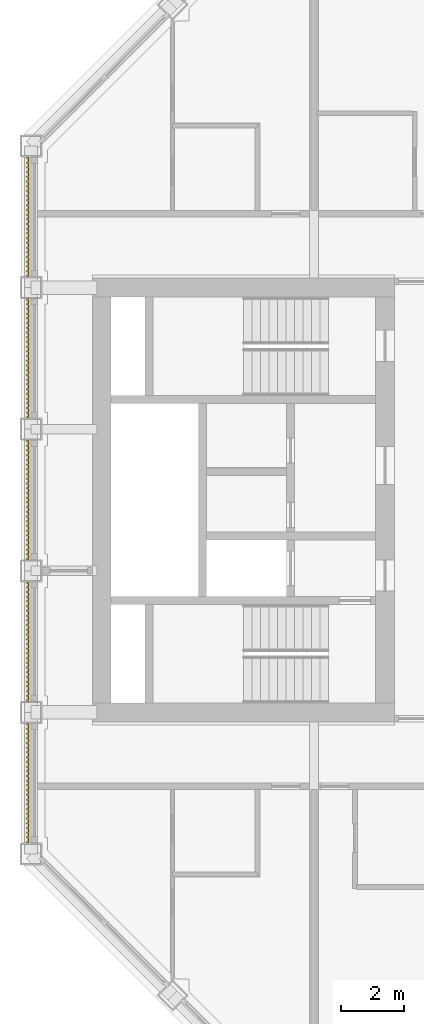
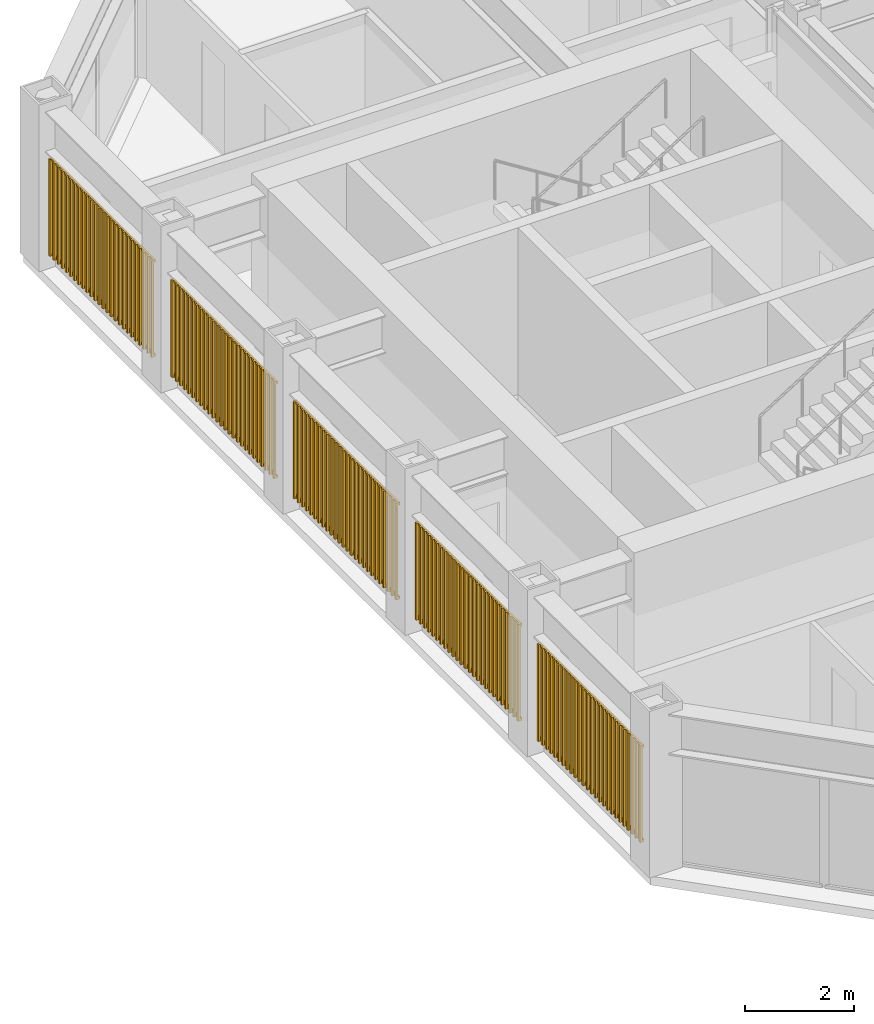
# One storey, part 15 of 18: 1 shading device.
"""IFC4 building model written with IfcOpenShell, lengths in metres."""

from ifc_helpers import new_model, si_unit, direction, frame, origin, origin_2d, place, context, subcontext, project, spatial, rectangle, extrude, material, type_object, element, save


model = new_model("IFC4")

# Units and contexts
model_context = context("Model", 3, precision=1e-05, world=origin(), true_north=direction((0.0, 1.0)))
body_context = subcontext(model_context, "Body", "Model", "MODEL_VIEW")
ifc_project = project(units=[si_unit("LENGTHUNIT", "METRE"), si_unit("AREAUNIT", "SQUARE_METRE"), si_unit("VOLUMEUNIT", "CUBIC_METRE"), si_unit("PLANEANGLEUNIT", "RADIAN"), si_unit("MASSUNIT", "GRAM", prefix="KILO")], contexts=[model_context])

# Site, building, storey
site_placement = place(None, origin())
site = spatial("IfcSite", under=ifc_project, at=site_placement, CompositionType="ELEMENT")
building_placement = place(site_placement, origin())
building = spatial("IfcBuilding", under=site, at=building_placement, Name="Msasa Ring Tower", CompositionType="ELEMENT")
storey_placement = place(building_placement, frame((0.0, 0.0, 204.550048828125)))
storey = spatial("IfcBuildingStorey", under=building, at=storey_placement, Name="L53", CompositionType="ELEMENT", Elevation=204.550048828125)

# Shading device
ifc_material = material(Name="Extruded terracotta on aluminium carriers", Category="masonry")
shading_device_type = type_object("IfcShadingDeviceType", Name="BS1 TERRACOTTA BAGUETTE SCREEN 50x50 AT 150", PredefinedType="USERDEFINED", material=ifc_material)
shading_device_placement = place(storey_placement, origin())
element("IfcShadingDevice", 1, at=shading_device_placement, inside=storey, type_object=shading_device_type, Name="Terracotta baguette screen W L53", ObjectType="BAGUETTE", PredefinedType="USERDEFINED", context=body_context, shape_type="SweptSolid", body=[
    extrude(rectangle(XDim=0.06005859375, YDim=0.0400390625, at=origin_2d()), frame((-20.330078125, -10.89990234375, 0.329833984375), z_axis=(0.0, 1.0, 0.0), x_axis=(0.0, 0.0, 1.0)), (0.0, 0.0, 1.0), 3.800048828125),
    extrude(rectangle(XDim=0.06005859375, YDim=0.0400390625, at=origin_2d()), frame((-20.330078125, -10.89990234375, 2.448974609375), z_axis=(0.0, 1.0, 0.0), x_axis=(0.0, 0.0, 1.0)), (0.0, 0.0, 1.0), 3.800048828125),
    extrude(rectangle(XDim=0.050048828125, YDim=0.050048828125, at=origin_2d()), frame((-20.3701171875, -10.875, 0.300048828125), z_axis=(0.0, 0.0, 1.0), x_axis=(0.0, 1.0, 0.0)), (0.0, 0.0, 1.0), 2.178955078125),
    extrude(rectangle(XDim=0.050048828125, YDim=0.050048828125, at=origin_2d()), frame((-20.3701171875, -10.72509765625, 0.300048828125), z_axis=(0.0, 0.0, 1.0), x_axis=(0.0, 1.0, 0.0)), (0.0, 0.0, 1.0), 2.178955078125),
    extrude(rectangle(XDim=0.050048828125, YDim=0.050048828125, at=origin_2d()), frame((-20.3701171875, -10.574951171875, 0.300048828125), z_axis=(0.0, 0.0, 1.0), x_axis=(0.0, 1.0, 0.0)), (0.0, 0.0, 1.0), 2.178955078125),
    extrude(rectangle(XDim=0.050048828125, YDim=0.050048828125, at=origin_2d()), frame((-20.3701171875, -10.425048828125, 0.300048828125), z_axis=(0.0, 0.0, 1.0), x_axis=(0.0, 1.0, 0.0)), (0.0, 0.0, 1.0), 2.178955078125),
    extrude(rectangle(XDim=0.050048828125, YDim=0.050048828125, at=origin_2d()), frame((-20.3701171875, -10.27490234375, 0.300048828125), z_axis=(0.0, 0.0, 1.0), x_axis=(0.0, 1.0, 0.0)), (0.0, 0.0, 1.0), 2.178955078125),
    extrude(rectangle(XDim=0.050048828125, YDim=0.050048828125, at=origin_2d()), frame((-20.3701171875, -10.125, 0.300048828125), z_axis=(0.0, 0.0, 1.0), x_axis=(0.0, 1.0, 0.0)), (0.0, 0.0, 1.0), 2.178955078125),
    extrude(rectangle(XDim=0.050048828125, YDim=0.050048828125, at=origin_2d()), frame((-20.3701171875, -9.97509765625, 0.300048828125), z_axis=(0.0, 0.0, 1.0), x_axis=(0.0, 1.0, 0.0)), (0.0, 0.0, 1.0), 2.178955078125),
    extrude(rectangle(XDim=0.050048828125, YDim=0.050048828125, at=origin_2d()), frame((-20.3701171875, -9.824951171875, 0.300048828125), z_axis=(0.0, 0.0, 1.0), x_axis=(0.0, 1.0, 0.0)), (0.0, 0.0, 1.0), 2.178955078125),
    extrude(rectangle(XDim=0.050048828125, YDim=0.050048828125, at=origin_2d()), frame((-20.3701171875, -9.675048828125, 0.300048828125), z_axis=(0.0, 0.0, 1.0), x_axis=(0.0, 1.0, 0.0)), (0.0, 0.0, 1.0), 2.178955078125),
    extrude(rectangle(XDim=0.050048828125, YDim=0.050048828125, at=origin_2d()), frame((-20.3701171875, -9.52490234375, 0.300048828125), z_axis=(0.0, 0.0, 1.0), x_axis=(0.0, 1.0, 0.0)), (0.0, 0.0, 1.0), 2.178955078125),
    extrude(rectangle(XDim=0.050048828125, YDim=0.050048828125, at=origin_2d()), frame((-20.3701171875, -9.375, 0.300048828125), z_axis=(0.0, 0.0, 1.0), x_axis=(0.0, 1.0, 0.0)), (0.0, 0.0, 1.0), 2.178955078125),
    extrude(rectangle(XDim=0.050048828125, YDim=0.050048828125, at=origin_2d()), frame((-20.3701171875, -9.22509765625, 0.300048828125), z_axis=(0.0, 0.0, 1.0), x_axis=(0.0, 1.0, 0.0)), (0.0, 0.0, 1.0), 2.178955078125),
    extrude(rectangle(XDim=0.050048828125, YDim=0.050048828125, at=origin_2d()), frame((-20.3701171875, -9.074951171875, 0.300048828125), z_axis=(0.0, 0.0, 1.0), x_axis=(0.0, 1.0, 0.0)), (0.0, 0.0, 1.0), 2.178955078125),
    extrude(rectangle(XDim=0.050048828125, YDim=0.050048828125, at=origin_2d()), frame((-20.3701171875, -8.925048828125, 0.300048828125), z_axis=(0.0, 0.0, 1.0), x_axis=(0.0, 1.0, 0.0)), (0.0, 0.0, 1.0), 2.178955078125),
    extrude(rectangle(XDim=0.050048828125, YDim=0.050048828125, at=origin_2d()), frame((-20.3701171875, -8.77490234375, 0.300048828125), z_axis=(0.0, 0.0, 1.0), x_axis=(0.0, 1.0, 0.0)), (0.0, 0.0, 1.0), 2.178955078125),
    extrude(rectangle(XDim=0.050048828125, YDim=0.050048828125, at=origin_2d()), frame((-20.3701171875, -8.625, 0.300048828125), z_axis=(0.0, 0.0, 1.0), x_axis=(0.0, 1.0, 0.0)), (0.0, 0.0, 1.0), 2.178955078125),
    extrude(rectangle(XDim=0.050048828125, YDim=0.050048828125, at=origin_2d()), frame((-20.3701171875, -8.47509765625, 0.300048828125), z_axis=(0.0, 0.0, 1.0), x_axis=(0.0, 1.0, 0.0)), (0.0, 0.0, 1.0), 2.178955078125),
    extrude(rectangle(XDim=0.050048828125, YDim=0.050048828125, at=origin_2d()), frame((-20.3701171875, -8.324951171875, 0.300048828125), z_axis=(0.0, 0.0, 1.0), x_axis=(0.0, 1.0, 0.0)), (0.0, 0.0, 1.0), 2.178955078125),
    extrude(rectangle(XDim=0.050048828125, YDim=0.050048828125, at=origin_2d()), frame((-20.3701171875, -8.175048828125, 0.300048828125), z_axis=(0.0, 0.0, 1.0), x_axis=(0.0, 1.0, 0.0)), (0.0, 0.0, 1.0), 2.178955078125),
    extrude(rectangle(XDim=0.050048828125, YDim=0.050048828125, at=origin_2d()), frame((-20.3701171875, -8.02490234375, 0.300048828125), z_axis=(0.0, 0.0, 1.0), x_axis=(0.0, 1.0, 0.0)), (0.0, 0.0, 1.0), 2.178955078125),
    extrude(rectangle(XDim=0.050048828125, YDim=0.050048828125, at=origin_2d()), frame((-20.3701171875, -7.875, 0.300048828125), z_axis=(0.0, 0.0, 1.0), x_axis=(0.0, 1.0, 0.0)), (0.0, 0.0, 1.0), 2.178955078125),
    extrude(rectangle(XDim=0.050048828125, YDim=0.050048828125, at=origin_2d()), frame((-20.3701171875, -7.72509765625, 0.300048828125), z_axis=(0.0, 0.0, 1.0), x_axis=(0.0, 1.0, 0.0)), (0.0, 0.0, 1.0), 2.178955078125),
    extrude(rectangle(XDim=0.050048828125, YDim=0.050048828125, at=origin_2d()), frame((-20.3701171875, -7.574951171875, 0.300048828125), z_axis=(0.0, 0.0, 1.0), x_axis=(0.0, 1.0, 0.0)), (0.0, 0.0, 1.0), 2.178955078125),
    extrude(rectangle(XDim=0.050048828125, YDim=0.050048828125, at=origin_2d()), frame((-20.3701171875, -7.425048828125, 0.300048828125), z_axis=(0.0, 0.0, 1.0), x_axis=(0.0, 1.0, 0.0)), (0.0, 0.0, 1.0), 2.178955078125),
    extrude(rectangle(XDim=0.050048828125, YDim=0.050048828125, at=origin_2d()), frame((-20.3701171875, -7.27490234375, 0.300048828125), z_axis=(0.0, 0.0, 1.0), x_axis=(0.0, 1.0, 0.0)), (0.0, 0.0, 1.0), 2.178955078125),
    extrude(rectangle(XDim=0.050048828125, YDim=0.050048828125, at=origin_2d()), frame((-20.3701171875, -7.125, 0.300048828125), z_axis=(0.0, 0.0, 1.0), x_axis=(0.0, 1.0, 0.0)), (0.0, 0.0, 1.0), 2.178955078125),
    extrude(rectangle(XDim=0.06005859375, YDim=0.0400390625, at=origin_2d()), frame((-20.330078125, -6.39990234375, 0.329833984375), z_axis=(0.0, 1.0, 0.0), x_axis=(0.0, 0.0, 1.0)), (0.0, 0.0, 1.0), 3.800048828125),
    extrude(rectangle(XDim=0.06005859375, YDim=0.0400390625, at=origin_2d()), frame((-20.330078125, -6.39990234375, 2.448974609375), z_axis=(0.0, 1.0, 0.0), x_axis=(0.0, 0.0, 1.0)), (0.0, 0.0, 1.0), 3.800048828125),
    extrude(rectangle(XDim=0.050048828125, YDim=0.050048828125, at=origin_2d()), frame((-20.3701171875, -6.375, 0.300048828125), z_axis=(0.0, 0.0, 1.0), x_axis=(0.0, 1.0, 0.0)), (0.0, 0.0, 1.0), 2.178955078125),
    extrude(rectangle(XDim=0.050048828125, YDim=0.050048828125, at=origin_2d()), frame((-20.3701171875, -6.22509765625, 0.300048828125), z_axis=(0.0, 0.0, 1.0), x_axis=(0.0, 1.0, 0.0)), (0.0, 0.0, 1.0), 2.178955078125),
    extrude(rectangle(XDim=0.050048828125, YDim=0.050048828125, at=origin_2d()), frame((-20.3701171875, -6.074951171875, 0.300048828125), z_axis=(0.0, 0.0, 1.0), x_axis=(0.0, 1.0, 0.0)), (0.0, 0.0, 1.0), 2.178955078125),
    extrude(rectangle(XDim=0.050048828125, YDim=0.050048828125, at=origin_2d()), frame((-20.3701171875, -5.925048828125, 0.300048828125), z_axis=(0.0, 0.0, 1.0), x_axis=(0.0, 1.0, 0.0)), (0.0, 0.0, 1.0), 2.178955078125),
    extrude(rectangle(XDim=0.050048828125, YDim=0.050048828125, at=origin_2d()), frame((-20.3701171875, -5.77490234375, 0.300048828125), z_axis=(0.0, 0.0, 1.0), x_axis=(0.0, 1.0, 0.0)), (0.0, 0.0, 1.0), 2.178955078125),
    extrude(rectangle(XDim=0.050048828125, YDim=0.050048828125, at=origin_2d()), frame((-20.3701171875, -5.625, 0.300048828125), z_axis=(0.0, 0.0, 1.0), x_axis=(0.0, 1.0, 0.0)), (0.0, 0.0, 1.0), 2.178955078125),
    extrude(rectangle(XDim=0.050048828125, YDim=0.050048828125, at=origin_2d()), frame((-20.3701171875, -5.47509765625, 0.300048828125), z_axis=(0.0, 0.0, 1.0), x_axis=(0.0, 1.0, 0.0)), (0.0, 0.0, 1.0), 2.178955078125),
    extrude(rectangle(XDim=0.050048828125, YDim=0.050048828125, at=origin_2d()), frame((-20.3701171875, -5.324951171875, 0.300048828125), z_axis=(0.0, 0.0, 1.0), x_axis=(0.0, 1.0, 0.0)), (0.0, 0.0, 1.0), 2.178955078125),
    extrude(rectangle(XDim=0.050048828125, YDim=0.050048828125, at=origin_2d()), frame((-20.3701171875, -5.175048828125, 0.300048828125), z_axis=(0.0, 0.0, 1.0), x_axis=(0.0, 1.0, 0.0)), (0.0, 0.0, 1.0), 2.178955078125),
    extrude(rectangle(XDim=0.050048828125, YDim=0.050048828125, at=origin_2d()), frame((-20.3701171875, -5.02490234375, 0.300048828125), z_axis=(0.0, 0.0, 1.0), x_axis=(0.0, 1.0, 0.0)), (0.0, 0.0, 1.0), 2.178955078125),
    extrude(rectangle(XDim=0.050048828125, YDim=0.050048828125, at=origin_2d()), frame((-20.3701171875, -4.875, 0.300048828125), z_axis=(0.0, 0.0, 1.0), x_axis=(0.0, 1.0, 0.0)), (0.0, 0.0, 1.0), 2.178955078125),
    extrude(rectangle(XDim=0.050048828125, YDim=0.050048828125, at=origin_2d()), frame((-20.3701171875, -4.72509765625, 0.300048828125), z_axis=(0.0, 0.0, 1.0), x_axis=(0.0, 1.0, 0.0)), (0.0, 0.0, 1.0), 2.178955078125),
    extrude(rectangle(XDim=0.050048828125, YDim=0.050048828125, at=origin_2d()), frame((-20.3701171875, -4.574951171875, 0.300048828125), z_axis=(0.0, 0.0, 1.0), x_axis=(0.0, 1.0, 0.0)), (0.0, 0.0, 1.0), 2.178955078125),
    extrude(rectangle(XDim=0.050048828125, YDim=0.050048828125, at=origin_2d()), frame((-20.3701171875, -4.425048828125, 0.300048828125), z_axis=(0.0, 0.0, 1.0), x_axis=(0.0, 1.0, 0.0)), (0.0, 0.0, 1.0), 2.178955078125),
    extrude(rectangle(XDim=0.050048828125, YDim=0.050048828125, at=origin_2d()), frame((-20.3701171875, -4.27490234375, 0.300048828125), z_axis=(0.0, 0.0, 1.0), x_axis=(0.0, 1.0, 0.0)), (0.0, 0.0, 1.0), 2.178955078125),
    extrude(rectangle(XDim=0.050048828125, YDim=0.050048828125, at=origin_2d()), frame((-20.3701171875, -4.125, 0.300048828125), z_axis=(0.0, 0.0, 1.0), x_axis=(0.0, 1.0, 0.0)), (0.0, 0.0, 1.0), 2.178955078125),
    extrude(rectangle(XDim=0.050048828125, YDim=0.050048828125, at=origin_2d()), frame((-20.3701171875, -3.97509765625, 0.300048828125), z_axis=(0.0, 0.0, 1.0), x_axis=(0.0, 1.0, 0.0)), (0.0, 0.0, 1.0), 2.178955078125),
    extrude(rectangle(XDim=0.050048828125, YDim=0.050048828125, at=origin_2d()), frame((-20.3701171875, -3.824951171875, 0.300048828125), z_axis=(0.0, 0.0, 1.0), x_axis=(0.0, 1.0, 0.0)), (0.0, 0.0, 1.0), 2.178955078125),
    extrude(rectangle(XDim=0.050048828125, YDim=0.050048828125, at=origin_2d()), frame((-20.3701171875, -3.675048828125, 0.300048828125), z_axis=(0.0, 0.0, 1.0), x_axis=(0.0, 1.0, 0.0)), (0.0, 0.0, 1.0), 2.178955078125),
    extrude(rectangle(XDim=0.050048828125, YDim=0.050048828125, at=origin_2d()), frame((-20.3701171875, -3.52490234375, 0.300048828125), z_axis=(0.0, 0.0, 1.0), x_axis=(0.0, 1.0, 0.0)), (0.0, 0.0, 1.0), 2.178955078125),
    extrude(rectangle(XDim=0.050048828125, YDim=0.050048828125, at=origin_2d()), frame((-20.3701171875, -3.375, 0.300048828125), z_axis=(0.0, 0.0, 1.0), x_axis=(0.0, 1.0, 0.0)), (0.0, 0.0, 1.0), 2.178955078125),
    extrude(rectangle(XDim=0.050048828125, YDim=0.050048828125, at=origin_2d()), frame((-20.3701171875, -3.22509765625, 0.300048828125), z_axis=(0.0, 0.0, 1.0), x_axis=(0.0, 1.0, 0.0)), (0.0, 0.0, 1.0), 2.178955078125),
    extrude(rectangle(XDim=0.050048828125, YDim=0.050048828125, at=origin_2d()), frame((-20.3701171875, -3.074951171875, 0.300048828125), z_axis=(0.0, 0.0, 1.0), x_axis=(0.0, 1.0, 0.0)), (0.0, 0.0, 1.0), 2.178955078125),
    extrude(rectangle(XDim=0.050048828125, YDim=0.050048828125, at=origin_2d()), frame((-20.3701171875, -2.925048828125, 0.300048828125), z_axis=(0.0, 0.0, 1.0), x_axis=(0.0, 1.0, 0.0)), (0.0, 0.0, 1.0), 2.178955078125),
    extrude(rectangle(XDim=0.050048828125, YDim=0.050048828125, at=origin_2d()), frame((-20.3701171875, -2.77490234375, 0.300048828125), z_axis=(0.0, 0.0, 1.0), x_axis=(0.0, 1.0, 0.0)), (0.0, 0.0, 1.0), 2.178955078125),
    extrude(rectangle(XDim=0.050048828125, YDim=0.050048828125, at=origin_2d()), frame((-20.3701171875, -2.625, 0.300048828125), z_axis=(0.0, 0.0, 1.0), x_axis=(0.0, 1.0, 0.0)), (0.0, 0.0, 1.0), 2.178955078125),
    extrude(rectangle(XDim=0.06005859375, YDim=0.0400390625, at=origin_2d()), frame((-20.330078125, -1.89990234375, 0.329833984375), z_axis=(0.0, 1.0, 0.0), x_axis=(0.0, 0.0, 1.0)), (0.0, 0.0, 1.0), 3.800048828125),
    extrude(rectangle(XDim=0.06005859375, YDim=0.0400390625, at=origin_2d()), frame((-20.330078125, -1.89990234375, 2.448974609375), z_axis=(0.0, 1.0, 0.0), x_axis=(0.0, 0.0, 1.0)), (0.0, 0.0, 1.0), 3.800048828125),
    extrude(rectangle(XDim=0.050048828125, YDim=0.050048828125, at=origin_2d()), frame((-20.3701171875, -1.875, 0.300048828125), z_axis=(0.0, 0.0, 1.0), x_axis=(0.0, 1.0, 0.0)), (0.0, 0.0, 1.0), 2.178955078125),
    extrude(rectangle(XDim=0.050048828125, YDim=0.050048828125, at=origin_2d()), frame((-20.3701171875, -1.72509765625, 0.300048828125), z_axis=(0.0, 0.0, 1.0), x_axis=(0.0, 1.0, 0.0)), (0.0, 0.0, 1.0), 2.178955078125),
    extrude(rectangle(XDim=0.050048828125, YDim=0.050048828125, at=origin_2d()), frame((-20.3701171875, -1.574951171875, 0.300048828125), z_axis=(0.0, 0.0, 1.0), x_axis=(0.0, 1.0, 0.0)), (0.0, 0.0, 1.0), 2.178955078125),
    extrude(rectangle(XDim=0.050048828125, YDim=0.050048828125, at=origin_2d()), frame((-20.3701171875, -1.425048828125, 0.300048828125), z_axis=(0.0, 0.0, 1.0), x_axis=(0.0, 1.0, 0.0)), (0.0, 0.0, 1.0), 2.178955078125),
    extrude(rectangle(XDim=0.050048828125, YDim=0.050048828125, at=origin_2d()), frame((-20.3701171875, -1.27490234375, 0.300048828125), z_axis=(0.0, 0.0, 1.0), x_axis=(0.0, 1.0, 0.0)), (0.0, 0.0, 1.0), 2.178955078125),
    extrude(rectangle(XDim=0.050048828125, YDim=0.050048828125, at=origin_2d()), frame((-20.3701171875, -1.125, 0.300048828125), z_axis=(0.0, 0.0, 1.0), x_axis=(0.0, 1.0, 0.0)), (0.0, 0.0, 1.0), 2.178955078125),
    extrude(rectangle(XDim=0.050048828125, YDim=0.050048828125, at=origin_2d()), frame((-20.3701171875, -0.97509765625, 0.300048828125), z_axis=(0.0, 0.0, 1.0), x_axis=(0.0, 1.0, 0.0)), (0.0, 0.0, 1.0), 2.178955078125),
    extrude(rectangle(XDim=0.050048828125, YDim=0.050048828125, at=origin_2d()), frame((-20.3701171875, -0.824951171875, 0.300048828125), z_axis=(0.0, 0.0, 1.0), x_axis=(0.0, 1.0, 0.0)), (0.0, 0.0, 1.0), 2.178955078125),
    extrude(rectangle(XDim=0.050048828125, YDim=0.050048828125, at=origin_2d()), frame((-20.3701171875, -0.675048828125, 0.300048828125), z_axis=(0.0, 0.0, 1.0), x_axis=(0.0, 1.0, 0.0)), (0.0, 0.0, 1.0), 2.178955078125),
    extrude(rectangle(XDim=0.050048828125, YDim=0.050048828125, at=origin_2d()), frame((-20.3701171875, -0.52490234375, 0.300048828125), z_axis=(0.0, 0.0, 1.0), x_axis=(0.0, 1.0, 0.0)), (0.0, 0.0, 1.0), 2.178955078125),
    extrude(rectangle(XDim=0.050048828125, YDim=0.050048828125, at=origin_2d()), frame((-20.3701171875, -0.375, 0.300048828125), z_axis=(0.0, 0.0, 1.0), x_axis=(0.0, 1.0, 0.0)), (0.0, 0.0, 1.0), 2.178955078125),
    extrude(rectangle(XDim=0.050048828125, YDim=0.050048828125, at=origin_2d()), frame((-20.3701171875, -0.22509765625, 0.300048828125), z_axis=(0.0, 0.0, 1.0), x_axis=(0.0, 1.0, 0.0)), (0.0, 0.0, 1.0), 2.178955078125),
    extrude(rectangle(XDim=0.050048828125, YDim=0.050048828125, at=origin_2d()), frame((-20.3701171875, -0.074951171875, 0.300048828125), z_axis=(0.0, 0.0, 1.0), x_axis=(0.0, 1.0, 0.0)), (0.0, 0.0, 1.0), 2.178955078125),
    extrude(rectangle(XDim=0.050048828125, YDim=0.050048828125, at=origin_2d()), frame((-20.3701171875, 0.074951171875, 0.300048828125), z_axis=(0.0, 0.0, 1.0), x_axis=(0.0, 1.0, 0.0)), (0.0, 0.0, 1.0), 2.178955078125),
    extrude(rectangle(XDim=0.050048828125, YDim=0.050048828125, at=origin_2d()), frame((-20.3701171875, 0.22509765625, 0.300048828125), z_axis=(0.0, 0.0, 1.0), x_axis=(0.0, 1.0, 0.0)), (0.0, 0.0, 1.0), 2.178955078125),
    extrude(rectangle(XDim=0.050048828125, YDim=0.050048828125, at=origin_2d()), frame((-20.3701171875, 0.375, 0.300048828125), z_axis=(0.0, 0.0, 1.0), x_axis=(0.0, 1.0, 0.0)), (0.0, 0.0, 1.0), 2.178955078125),
    extrude(rectangle(XDim=0.050048828125, YDim=0.050048828125, at=origin_2d()), frame((-20.3701171875, 0.52490234375, 0.300048828125), z_axis=(0.0, 0.0, 1.0), x_axis=(0.0, 1.0, 0.0)), (0.0, 0.0, 1.0), 2.178955078125),
    extrude(rectangle(XDim=0.050048828125, YDim=0.050048828125, at=origin_2d()), frame((-20.3701171875, 0.675048828125, 0.300048828125), z_axis=(0.0, 0.0, 1.0), x_axis=(0.0, 1.0, 0.0)), (0.0, 0.0, 1.0), 2.178955078125),
    extrude(rectangle(XDim=0.050048828125, YDim=0.050048828125, at=origin_2d()), frame((-20.3701171875, 0.824951171875, 0.300048828125), z_axis=(0.0, 0.0, 1.0), x_axis=(0.0, 1.0, 0.0)), (0.0, 0.0, 1.0), 2.178955078125),
    extrude(rectangle(XDim=0.050048828125, YDim=0.050048828125, at=origin_2d()), frame((-20.3701171875, 0.97509765625, 0.300048828125), z_axis=(0.0, 0.0, 1.0), x_axis=(0.0, 1.0, 0.0)), (0.0, 0.0, 1.0), 2.178955078125),
    extrude(rectangle(XDim=0.050048828125, YDim=0.050048828125, at=origin_2d()), frame((-20.3701171875, 1.125, 0.300048828125), z_axis=(0.0, 0.0, 1.0), x_axis=(0.0, 1.0, 0.0)), (0.0, 0.0, 1.0), 2.178955078125),
    extrude(rectangle(XDim=0.050048828125, YDim=0.050048828125, at=origin_2d()), frame((-20.3701171875, 1.27490234375, 0.300048828125), z_axis=(0.0, 0.0, 1.0), x_axis=(0.0, 1.0, 0.0)), (0.0, 0.0, 1.0), 2.178955078125),
    extrude(rectangle(XDim=0.050048828125, YDim=0.050048828125, at=origin_2d()), frame((-20.3701171875, 1.425048828125, 0.300048828125), z_axis=(0.0, 0.0, 1.0), x_axis=(0.0, 1.0, 0.0)), (0.0, 0.0, 1.0), 2.178955078125),
    extrude(rectangle(XDim=0.050048828125, YDim=0.050048828125, at=origin_2d()), frame((-20.3701171875, 1.574951171875, 0.300048828125), z_axis=(0.0, 0.0, 1.0), x_axis=(0.0, 1.0, 0.0)), (0.0, 0.0, 1.0), 2.178955078125),
    extrude(rectangle(XDim=0.050048828125, YDim=0.050048828125, at=origin_2d()), frame((-20.3701171875, 1.72509765625, 0.300048828125), z_axis=(0.0, 0.0, 1.0), x_axis=(0.0, 1.0, 0.0)), (0.0, 0.0, 1.0), 2.178955078125),
    extrude(rectangle(XDim=0.050048828125, YDim=0.050048828125, at=origin_2d()), frame((-20.3701171875, 1.875, 0.300048828125), z_axis=(0.0, 0.0, 1.0), x_axis=(0.0, 1.0, 0.0)), (0.0, 0.0, 1.0), 2.178955078125),
    extrude(rectangle(XDim=0.06005859375, YDim=0.0400390625, at=origin_2d()), frame((-20.330078125, 2.60009765625, 0.329833984375), z_axis=(0.0, 1.0, 0.0), x_axis=(0.0, 0.0, 1.0)), (0.0, 0.0, 1.0), 3.800048828125),
    extrude(rectangle(XDim=0.06005859375, YDim=0.0400390625, at=origin_2d()), frame((-20.330078125, 2.60009765625, 2.448974609375), z_axis=(0.0, 1.0, 0.0), x_axis=(0.0, 0.0, 1.0)), (0.0, 0.0, 1.0), 3.800048828125),
    extrude(rectangle(XDim=0.050048828125, YDim=0.050048828125, at=origin_2d()), frame((-20.3701171875, 2.625, 0.300048828125), z_axis=(0.0, 0.0, 1.0), x_axis=(0.0, 1.0, 0.0)), (0.0, 0.0, 1.0), 2.178955078125),
    extrude(rectangle(XDim=0.050048828125, YDim=0.050048828125, at=origin_2d()), frame((-20.3701171875, 2.77490234375, 0.300048828125), z_axis=(0.0, 0.0, 1.0), x_axis=(0.0, 1.0, 0.0)), (0.0, 0.0, 1.0), 2.178955078125),
    extrude(rectangle(XDim=0.050048828125, YDim=0.050048828125, at=origin_2d()), frame((-20.3701171875, 2.925048828125, 0.300048828125), z_axis=(0.0, 0.0, 1.0), x_axis=(0.0, 1.0, 0.0)), (0.0, 0.0, 1.0), 2.178955078125),
    extrude(rectangle(XDim=0.050048828125, YDim=0.050048828125, at=origin_2d()), frame((-20.3701171875, 3.074951171875, 0.300048828125), z_axis=(0.0, 0.0, 1.0), x_axis=(0.0, 1.0, 0.0)), (0.0, 0.0, 1.0), 2.178955078125),
    extrude(rectangle(XDim=0.050048828125, YDim=0.050048828125, at=origin_2d()), frame((-20.3701171875, 3.22509765625, 0.300048828125), z_axis=(0.0, 0.0, 1.0), x_axis=(0.0, 1.0, 0.0)), (0.0, 0.0, 1.0), 2.178955078125),
    extrude(rectangle(XDim=0.050048828125, YDim=0.050048828125, at=origin_2d()), frame((-20.3701171875, 3.375, 0.300048828125), z_axis=(0.0, 0.0, 1.0), x_axis=(0.0, 1.0, 0.0)), (0.0, 0.0, 1.0), 2.178955078125),
    extrude(rectangle(XDim=0.050048828125, YDim=0.050048828125, at=origin_2d()), frame((-20.3701171875, 3.52490234375, 0.300048828125), z_axis=(0.0, 0.0, 1.0), x_axis=(0.0, 1.0, 0.0)), (0.0, 0.0, 1.0), 2.178955078125),
    extrude(rectangle(XDim=0.050048828125, YDim=0.050048828125, at=origin_2d()), frame((-20.3701171875, 3.675048828125, 0.300048828125), z_axis=(0.0, 0.0, 1.0), x_axis=(0.0, 1.0, 0.0)), (0.0, 0.0, 1.0), 2.178955078125),
    extrude(rectangle(XDim=0.050048828125, YDim=0.050048828125, at=origin_2d()), frame((-20.3701171875, 3.824951171875, 0.300048828125), z_axis=(0.0, 0.0, 1.0), x_axis=(0.0, 1.0, 0.0)), (0.0, 0.0, 1.0), 2.178955078125),
    extrude(rectangle(XDim=0.050048828125, YDim=0.050048828125, at=origin_2d()), frame((-20.3701171875, 3.97509765625, 0.300048828125), z_axis=(0.0, 0.0, 1.0), x_axis=(0.0, 1.0, 0.0)), (0.0, 0.0, 1.0), 2.178955078125),
    extrude(rectangle(XDim=0.050048828125, YDim=0.050048828125, at=origin_2d()), frame((-20.3701171875, 4.125, 0.300048828125), z_axis=(0.0, 0.0, 1.0), x_axis=(0.0, 1.0, 0.0)), (0.0, 0.0, 1.0), 2.178955078125),
    extrude(rectangle(XDim=0.050048828125, YDim=0.050048828125, at=origin_2d()), frame((-20.3701171875, 4.27490234375, 0.300048828125), z_axis=(0.0, 0.0, 1.0), x_axis=(0.0, 1.0, 0.0)), (0.0, 0.0, 1.0), 2.178955078125),
    extrude(rectangle(XDim=0.050048828125, YDim=0.050048828125, at=origin_2d()), frame((-20.3701171875, 4.425048828125, 0.300048828125), z_axis=(0.0, 0.0, 1.0), x_axis=(0.0, 1.0, 0.0)), (0.0, 0.0, 1.0), 2.178955078125),
    extrude(rectangle(XDim=0.050048828125, YDim=0.050048828125, at=origin_2d()), frame((-20.3701171875, 4.574951171875, 0.300048828125), z_axis=(0.0, 0.0, 1.0), x_axis=(0.0, 1.0, 0.0)), (0.0, 0.0, 1.0), 2.178955078125),
    extrude(rectangle(XDim=0.050048828125, YDim=0.050048828125, at=origin_2d()), frame((-20.3701171875, 4.72509765625, 0.300048828125), z_axis=(0.0, 0.0, 1.0), x_axis=(0.0, 1.0, 0.0)), (0.0, 0.0, 1.0), 2.178955078125),
    extrude(rectangle(XDim=0.050048828125, YDim=0.050048828125, at=origin_2d()), frame((-20.3701171875, 4.875, 0.300048828125), z_axis=(0.0, 0.0, 1.0), x_axis=(0.0, 1.0, 0.0)), (0.0, 0.0, 1.0), 2.178955078125),
    extrude(rectangle(XDim=0.050048828125, YDim=0.050048828125, at=origin_2d()), frame((-20.3701171875, 5.02490234375, 0.300048828125), z_axis=(0.0, 0.0, 1.0), x_axis=(0.0, 1.0, 0.0)), (0.0, 0.0, 1.0), 2.178955078125),
    extrude(rectangle(XDim=0.050048828125, YDim=0.050048828125, at=origin_2d()), frame((-20.3701171875, 5.175048828125, 0.300048828125), z_axis=(0.0, 0.0, 1.0), x_axis=(0.0, 1.0, 0.0)), (0.0, 0.0, 1.0), 2.178955078125),
    extrude(rectangle(XDim=0.050048828125, YDim=0.050048828125, at=origin_2d()), frame((-20.3701171875, 5.324951171875, 0.300048828125), z_axis=(0.0, 0.0, 1.0), x_axis=(0.0, 1.0, 0.0)), (0.0, 0.0, 1.0), 2.178955078125),
    extrude(rectangle(XDim=0.050048828125, YDim=0.050048828125, at=origin_2d()), frame((-20.3701171875, 5.47509765625, 0.300048828125), z_axis=(0.0, 0.0, 1.0), x_axis=(0.0, 1.0, 0.0)), (0.0, 0.0, 1.0), 2.178955078125),
    extrude(rectangle(XDim=0.050048828125, YDim=0.050048828125, at=origin_2d()), frame((-20.3701171875, 5.625, 0.300048828125), z_axis=(0.0, 0.0, 1.0), x_axis=(0.0, 1.0, 0.0)), (0.0, 0.0, 1.0), 2.178955078125),
    extrude(rectangle(XDim=0.050048828125, YDim=0.050048828125, at=origin_2d()), frame((-20.3701171875, 5.77490234375, 0.300048828125), z_axis=(0.0, 0.0, 1.0), x_axis=(0.0, 1.0, 0.0)), (0.0, 0.0, 1.0), 2.178955078125),
    extrude(rectangle(XDim=0.050048828125, YDim=0.050048828125, at=origin_2d()), frame((-20.3701171875, 5.925048828125, 0.300048828125), z_axis=(0.0, 0.0, 1.0), x_axis=(0.0, 1.0, 0.0)), (0.0, 0.0, 1.0), 2.178955078125),
    extrude(rectangle(XDim=0.050048828125, YDim=0.050048828125, at=origin_2d()), frame((-20.3701171875, 6.074951171875, 0.300048828125), z_axis=(0.0, 0.0, 1.0), x_axis=(0.0, 1.0, 0.0)), (0.0, 0.0, 1.0), 2.178955078125),
    extrude(rectangle(XDim=0.050048828125, YDim=0.050048828125, at=origin_2d()), frame((-20.3701171875, 6.22509765625, 0.300048828125), z_axis=(0.0, 0.0, 1.0), x_axis=(0.0, 1.0, 0.0)), (0.0, 0.0, 1.0), 2.178955078125),
    extrude(rectangle(XDim=0.050048828125, YDim=0.050048828125, at=origin_2d()), frame((-20.3701171875, 6.375, 0.300048828125), z_axis=(0.0, 0.0, 1.0), x_axis=(0.0, 1.0, 0.0)), (0.0, 0.0, 1.0), 2.178955078125),
    extrude(rectangle(XDim=0.06005859375, YDim=0.0400390625, at=origin_2d()), frame((-20.330078125, 7.10009765625, 0.329833984375), z_axis=(0.0, 1.0, 0.0), x_axis=(0.0, 0.0, 1.0)), (0.0, 0.0, 1.0), 3.800048828125),
    extrude(rectangle(XDim=0.06005859375, YDim=0.0400390625, at=origin_2d()), frame((-20.330078125, 7.10009765625, 2.448974609375), z_axis=(0.0, 1.0, 0.0), x_axis=(0.0, 0.0, 1.0)), (0.0, 0.0, 1.0), 3.800048828125),
    extrude(rectangle(XDim=0.050048828125, YDim=0.050048828125, at=origin_2d()), frame((-20.3701171875, 7.125, 0.300048828125), z_axis=(0.0, 0.0, 1.0), x_axis=(0.0, 1.0, 0.0)), (0.0, 0.0, 1.0), 2.178955078125),
    extrude(rectangle(XDim=0.050048828125, YDim=0.050048828125, at=origin_2d()), frame((-20.3701171875, 7.27490234375, 0.300048828125), z_axis=(0.0, 0.0, 1.0), x_axis=(0.0, 1.0, 0.0)), (0.0, 0.0, 1.0), 2.178955078125),
    extrude(rectangle(XDim=0.050048828125, YDim=0.050048828125, at=origin_2d()), frame((-20.3701171875, 7.425048828125, 0.300048828125), z_axis=(0.0, 0.0, 1.0), x_axis=(0.0, 1.0, 0.0)), (0.0, 0.0, 1.0), 2.178955078125),
    extrude(rectangle(XDim=0.050048828125, YDim=0.050048828125, at=origin_2d()), frame((-20.3701171875, 7.574951171875, 0.300048828125), z_axis=(0.0, 0.0, 1.0), x_axis=(0.0, 1.0, 0.0)), (0.0, 0.0, 1.0), 2.178955078125),
    extrude(rectangle(XDim=0.050048828125, YDim=0.050048828125, at=origin_2d()), frame((-20.3701171875, 7.72509765625, 0.300048828125), z_axis=(0.0, 0.0, 1.0), x_axis=(0.0, 1.0, 0.0)), (0.0, 0.0, 1.0), 2.178955078125),
    extrude(rectangle(XDim=0.050048828125, YDim=0.050048828125, at=origin_2d()), frame((-20.3701171875, 7.875, 0.300048828125), z_axis=(0.0, 0.0, 1.0), x_axis=(0.0, 1.0, 0.0)), (0.0, 0.0, 1.0), 2.178955078125),
    extrude(rectangle(XDim=0.050048828125, YDim=0.050048828125, at=origin_2d()), frame((-20.3701171875, 8.02490234375, 0.300048828125), z_axis=(0.0, 0.0, 1.0), x_axis=(0.0, 1.0, 0.0)), (0.0, 0.0, 1.0), 2.178955078125),
    extrude(rectangle(XDim=0.050048828125, YDim=0.050048828125, at=origin_2d()), frame((-20.3701171875, 8.175048828125, 0.300048828125), z_axis=(0.0, 0.0, 1.0), x_axis=(0.0, 1.0, 0.0)), (0.0, 0.0, 1.0), 2.178955078125),
    extrude(rectangle(XDim=0.050048828125, YDim=0.050048828125, at=origin_2d()), frame((-20.3701171875, 8.324951171875, 0.300048828125), z_axis=(0.0, 0.0, 1.0), x_axis=(0.0, 1.0, 0.0)), (0.0, 0.0, 1.0), 2.178955078125),
    extrude(rectangle(XDim=0.050048828125, YDim=0.050048828125, at=origin_2d()), frame((-20.3701171875, 8.47509765625, 0.300048828125), z_axis=(0.0, 0.0, 1.0), x_axis=(0.0, 1.0, 0.0)), (0.0, 0.0, 1.0), 2.178955078125),
    extrude(rectangle(XDim=0.050048828125, YDim=0.050048828125, at=origin_2d()), frame((-20.3701171875, 8.625, 0.300048828125), z_axis=(0.0, 0.0, 1.0), x_axis=(0.0, 1.0, 0.0)), (0.0, 0.0, 1.0), 2.178955078125),
    extrude(rectangle(XDim=0.050048828125, YDim=0.050048828125, at=origin_2d()), frame((-20.3701171875, 8.77490234375, 0.300048828125), z_axis=(0.0, 0.0, 1.0), x_axis=(0.0, 1.0, 0.0)), (0.0, 0.0, 1.0), 2.178955078125),
    extrude(rectangle(XDim=0.050048828125, YDim=0.050048828125, at=origin_2d()), frame((-20.3701171875, 8.925048828125, 0.300048828125), z_axis=(0.0, 0.0, 1.0), x_axis=(0.0, 1.0, 0.0)), (0.0, 0.0, 1.0), 2.178955078125),
    extrude(rectangle(XDim=0.050048828125, YDim=0.050048828125, at=origin_2d()), frame((-20.3701171875, 9.074951171875, 0.300048828125), z_axis=(0.0, 0.0, 1.0), x_axis=(0.0, 1.0, 0.0)), (0.0, 0.0, 1.0), 2.178955078125),
    extrude(rectangle(XDim=0.050048828125, YDim=0.050048828125, at=origin_2d()), frame((-20.3701171875, 9.22509765625, 0.300048828125), z_axis=(0.0, 0.0, 1.0), x_axis=(0.0, 1.0, 0.0)), (0.0, 0.0, 1.0), 2.178955078125),
    extrude(rectangle(XDim=0.050048828125, YDim=0.050048828125, at=origin_2d()), frame((-20.3701171875, 9.375, 0.300048828125), z_axis=(0.0, 0.0, 1.0), x_axis=(0.0, 1.0, 0.0)), (0.0, 0.0, 1.0), 2.178955078125),
    extrude(rectangle(XDim=0.050048828125, YDim=0.050048828125, at=origin_2d()), frame((-20.3701171875, 9.52490234375, 0.300048828125), z_axis=(0.0, 0.0, 1.0), x_axis=(0.0, 1.0, 0.0)), (0.0, 0.0, 1.0), 2.178955078125),
    extrude(rectangle(XDim=0.050048828125, YDim=0.050048828125, at=origin_2d()), frame((-20.3701171875, 9.675048828125, 0.300048828125), z_axis=(0.0, 0.0, 1.0), x_axis=(0.0, 1.0, 0.0)), (0.0, 0.0, 1.0), 2.178955078125),
    extrude(rectangle(XDim=0.050048828125, YDim=0.050048828125, at=origin_2d()), frame((-20.3701171875, 9.824951171875, 0.300048828125), z_axis=(0.0, 0.0, 1.0), x_axis=(0.0, 1.0, 0.0)), (0.0, 0.0, 1.0), 2.178955078125),
    extrude(rectangle(XDim=0.050048828125, YDim=0.050048828125, at=origin_2d()), frame((-20.3701171875, 9.97509765625, 0.300048828125), z_axis=(0.0, 0.0, 1.0), x_axis=(0.0, 1.0, 0.0)), (0.0, 0.0, 1.0), 2.178955078125),
    extrude(rectangle(XDim=0.050048828125, YDim=0.050048828125, at=origin_2d()), frame((-20.3701171875, 10.125, 0.300048828125), z_axis=(0.0, 0.0, 1.0), x_axis=(0.0, 1.0, 0.0)), (0.0, 0.0, 1.0), 2.178955078125),
    extrude(rectangle(XDim=0.050048828125, YDim=0.050048828125, at=origin_2d()), frame((-20.3701171875, 10.27490234375, 0.300048828125), z_axis=(0.0, 0.0, 1.0), x_axis=(0.0, 1.0, 0.0)), (0.0, 0.0, 1.0), 2.178955078125),
    extrude(rectangle(XDim=0.050048828125, YDim=0.050048828125, at=origin_2d()), frame((-20.3701171875, 10.425048828125, 0.300048828125), z_axis=(0.0, 0.0, 1.0), x_axis=(0.0, 1.0, 0.0)), (0.0, 0.0, 1.0), 2.178955078125),
    extrude(rectangle(XDim=0.050048828125, YDim=0.050048828125, at=origin_2d()), frame((-20.3701171875, 10.574951171875, 0.300048828125), z_axis=(0.0, 0.0, 1.0), x_axis=(0.0, 1.0, 0.0)), (0.0, 0.0, 1.0), 2.178955078125),
    extrude(rectangle(XDim=0.050048828125, YDim=0.050048828125, at=origin_2d()), frame((-20.3701171875, 10.72509765625, 0.300048828125), z_axis=(0.0, 0.0, 1.0), x_axis=(0.0, 1.0, 0.0)), (0.0, 0.0, 1.0), 2.178955078125),
    extrude(rectangle(XDim=0.050048828125, YDim=0.050048828125, at=origin_2d()), frame((-20.3701171875, 10.875, 0.300048828125), z_axis=(0.0, 0.0, 1.0), x_axis=(0.0, 1.0, 0.0)), (0.0, 0.0, 1.0), 2.178955078125),
])

save(model, "model.ifc")
